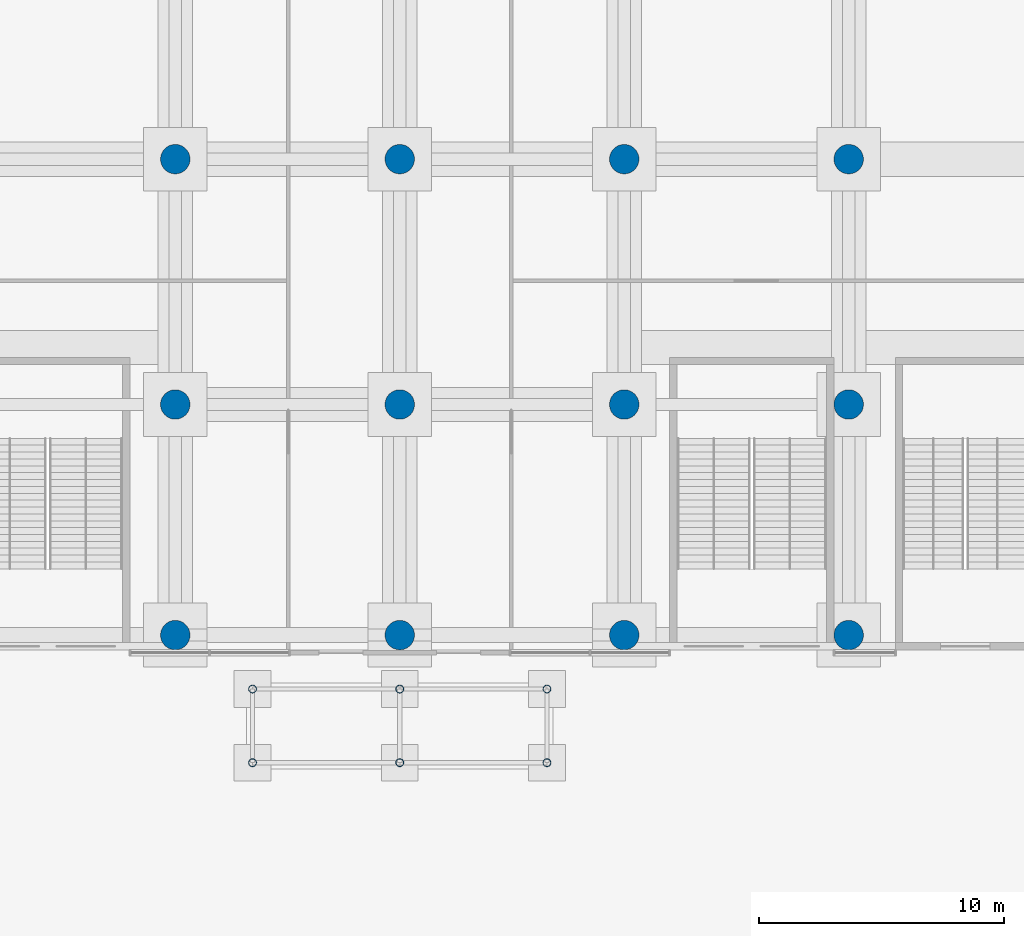
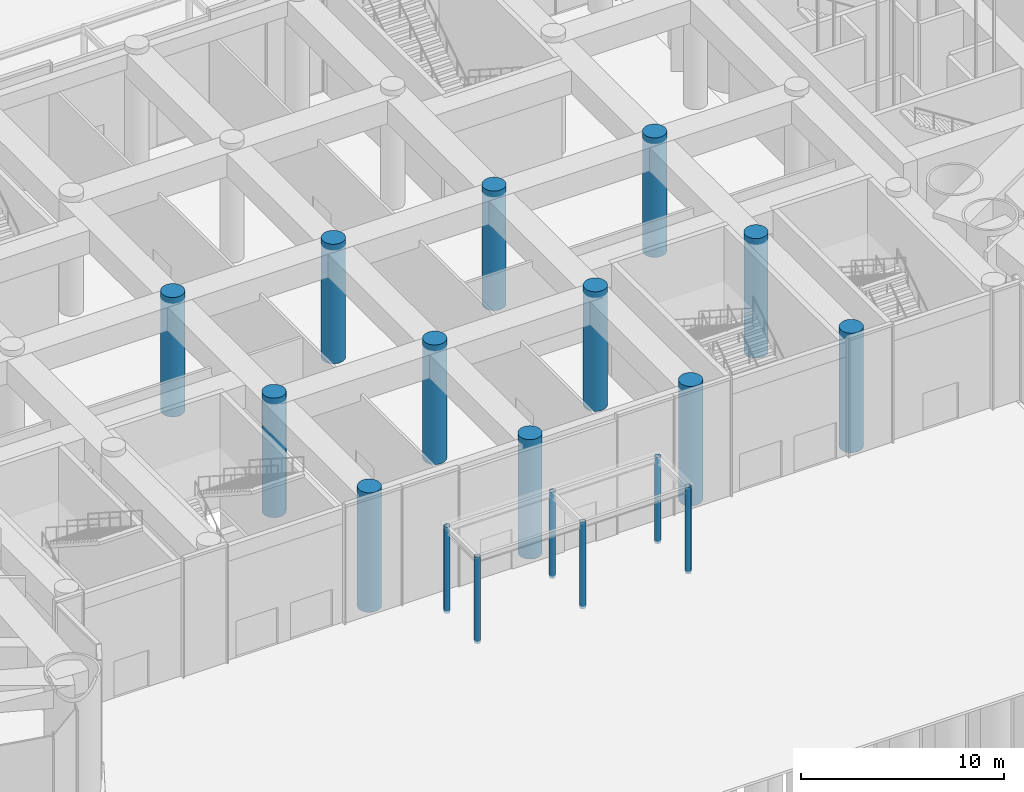
# One storey, part 3 of 43: 18 columns.
"""IFC4 building model written with IfcOpenShell, lengths in metres."""

from ifc_helpers import new_model, si_unit, direction, frame, origin, origin_2d, place, context, subcontext, project, spatial, circle, hollow_circle, extrude, material, material_profile, profile_set, type_object, element, save


model = new_model("IFC4")

# Units and contexts
model_context = context("Model", 3, precision=1e-05, world=origin(), true_north=direction((0.0, 1.0)))
body_context = subcontext(model_context, "Body", "Model", "MODEL_VIEW")
ifc_project = project(units=[si_unit("LENGTHUNIT", "METRE"), si_unit("AREAUNIT", "SQUARE_METRE"), si_unit("VOLUMEUNIT", "CUBIC_METRE"), si_unit("PLANEANGLEUNIT", "RADIAN"), si_unit("MASSUNIT", "GRAM", prefix="KILO")], contexts=[model_context])

# Site, building, storey
site_placement = place(None, origin())
site = spatial("IfcSite", under=ifc_project, at=site_placement, CompositionType="ELEMENT")
building_placement = place(site_placement, origin())
building = spatial("IfcBuilding", under=site, at=building_placement, Name="Lancet Gate Hotel", CompositionType="ELEMENT")
storey_placement = place(building_placement, origin())
storey = spatial("IfcBuildingStorey", under=building, at=storey_placement, Name="L00", CompositionType="ELEMENT", Elevation=0.0)

# Columns
ifc_material_1 = material(Name="Steel S355", Category="steel")
ifc_material_profile_1 = material_profile(ifc_material_1, hollow_circle(Radius=0.161865234375, WallThickness=0.012451171875, at=origin_2d()), Name="CHS 323.9x12.5")
ifc_profile_set_1 = profile_set([ifc_material_profile_1], Name="Steel S355")
column_type_1 = type_object("IfcColumnType", Name="Canopy post CHS 323.9x12.5", PredefinedType="COLUMN", material=ifc_profile_set_1)
for number, where, z_axis, x_axis, name in (
    (1, (-6.0, -21.60009765625, -0.14990234375), (0.0, 0.0, 1.0), (1.0, 0.0, 0.0), "Canopy post S1A"),
    (2, (-6.0, -24.60009765625, -0.14990234375), (0.0, 0.0, 1.0), (1.0, 0.0, 0.0), "Canopy post S1B"),
    (3, (0.0, -21.60009765625, -0.14990234375), (0.0, 0.0, 1.0), (1.0, 0.0, 0.0), "Canopy post S2A"),
    (4, (0.0, -24.60009765625, -0.14990234375), (0.0, 0.0, 1.0), (1.0, 0.0, 0.0), "Canopy post S2B"),
    (5, (6.0, -21.60009765625, -0.14990234375), (0.0, 0.0, 1.0), (1.0, 0.0, 0.0), "Canopy post S3A"),
    (6, (6.0, -24.60009765625, -0.14990234375), (0.0, 0.0, 1.0), (1.0, 0.0, 0.0), "Canopy post S3B"),
):
    element("IfcColumn", number, at=place(storey_placement, frame(where, z_axis=z_axis, x_axis=x_axis)), inside=storey, type_object=column_type_1, Name=name, PredefinedType="COLUMN", context=body_context, shape_type="SweptSolid", body=[
        extrude(hollow_circle(Radius=0.161865234375, WallThickness=0.012451171875, at=origin_2d()), origin(), (0.0, 0.0, 1.0), 5.199951171875),
    ])
ifc_material_2 = material(Name="Concrete C60/75", Category="concrete")
ifc_material_profile_2 = material_profile(ifc_material_2, circle(Radius=0.60009765625, at=origin_2d()), Name="RC D1200")
ifc_profile_set_2 = profile_set([ifc_material_profile_2], Name="Concrete C60/75")
column_type_2 = type_object("IfcColumnType", Name="Podium column RC D1200", PredefinedType="COLUMN", material=ifc_profile_set_2)
for number, where, z_axis, x_axis, name in (
    (7, (-9.14990234375, -19.39990234375, 0.0), (0.0, 0.0, 1.0), (1.0, 0.0, 0.0), "Podium column 3A L00"),
    (8, (-9.14990234375, -10.0, 0.0), (0.0, 0.0, 1.0), (1.0, 0.0, 0.0), "Podium column 3B L00"),
    (9, (-9.14990234375, 0.0, 0.0), (0.0, 0.0, 1.0), (1.0, 0.0, 0.0), "Podium column 3C L00"),
    (10, (0.0, -19.39990234375, 0.0), (0.0, 0.0, 1.0), (1.0, 0.0, 0.0), "Podium column 4A L00"),
    (11, (0.0, -10.0, 0.0), (0.0, 0.0, 1.0), (1.0, 0.0, 0.0), "Podium column 4B L00"),
    (12, (0.0, 0.0, 0.0), (0.0, 0.0, 1.0), (1.0, 0.0, 0.0), "Podium column 4C L00"),
    (13, (9.14990234375, -19.39990234375, 0.0), (0.0, 0.0, 1.0), (1.0, 0.0, 0.0), "Podium column 5A L00"),
    (14, (9.14990234375, -10.0, 0.0), (0.0, 0.0, 1.0), (1.0, 0.0, 0.0), "Podium column 5B L00"),
    (15, (9.14990234375, 0.0, 0.0), (0.0, 0.0, 1.0), (1.0, 0.0, 0.0), "Podium column 5C L00"),
    (16, (18.300048828125, -19.39990234375, 0.0), (0.0, 0.0, 1.0), (1.0, 0.0, 0.0), "Podium column 6A L00"),
    (17, (18.300048828125, -10.0, 0.0), (0.0, 0.0, 1.0), (1.0, 0.0, 0.0), "Podium column 6B L00"),
    (18, (18.300048828125, 0.0, 0.0), (0.0, 0.0, 1.0), (1.0, 0.0, 0.0), "Podium column 6C L00"),
):
    element("IfcColumn", number, at=place(storey_placement, frame(where, z_axis=z_axis, x_axis=x_axis)), inside=storey, type_object=column_type_2, Name=name, PredefinedType="COLUMN", context=body_context, shape_type="SweptSolid", body=[
        extrude(circle(Radius=0.60009765625, at=origin_2d()), origin(), (0.0, 0.0, 1.0), 7.199951171875),
    ])

save(model, "model.ifc")
